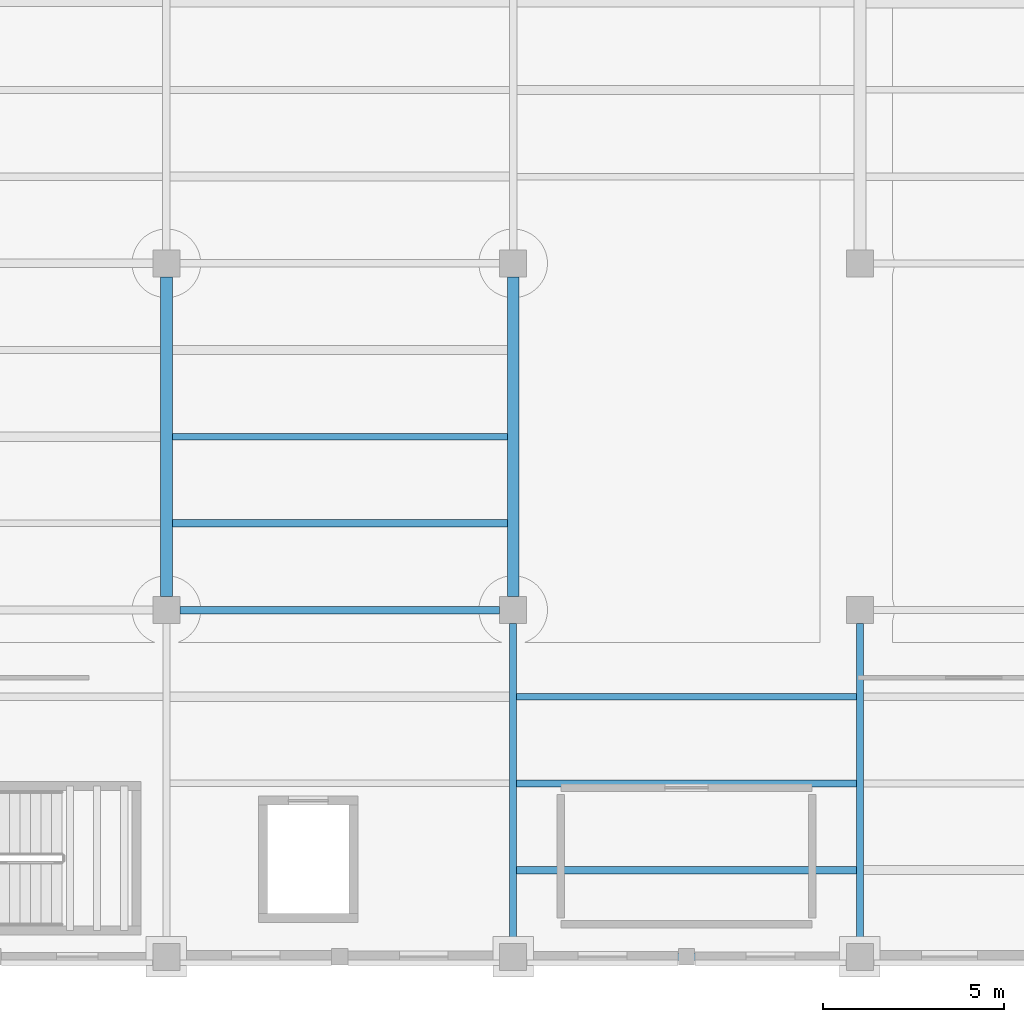
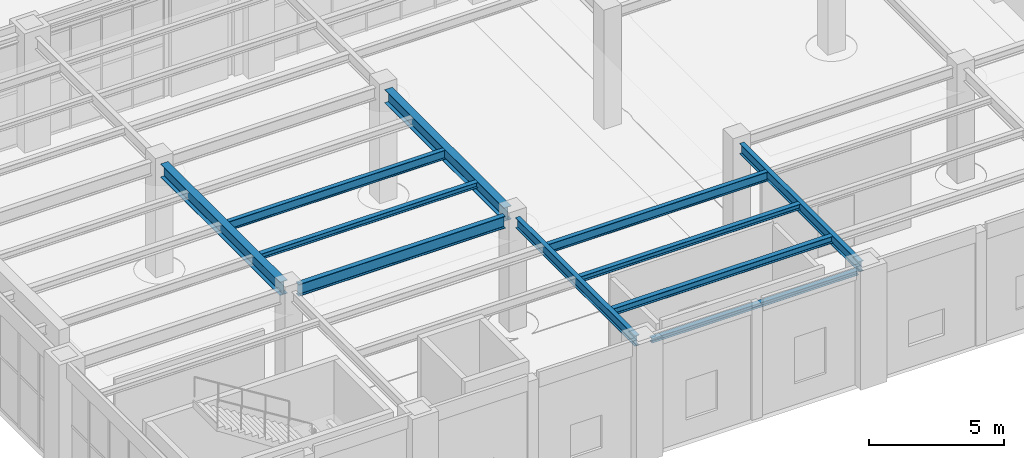
# One storey, part 28 of 164: 11 beams.
"""IFC4 building model written with IfcOpenShell, lengths in metres."""

from ifc_helpers import new_model, si_unit, direction, frame, origin, origin_2d, place, context, subcontext, project, spatial, i_section, extrude, material, material_profile, profile_set, type_object, element, save


model = new_model("IFC4")

# Units and contexts
model_context = context("Model", 3, precision=1e-05, world=origin(), true_north=direction((0.0, 1.0)))
body_context = subcontext(model_context, "Body", "Model", "MODEL_VIEW")
ifc_project = project(units=[si_unit("LENGTHUNIT", "METRE"), si_unit("AREAUNIT", "SQUARE_METRE"), si_unit("VOLUMEUNIT", "CUBIC_METRE"), si_unit("PLANEANGLEUNIT", "RADIAN"), si_unit("MASSUNIT", "GRAM", prefix="KILO")], contexts=[model_context])

# Site, building, storey
site_placement = place(None, origin())
site = spatial("IfcSite", under=ifc_project, at=site_placement, CompositionType="ELEMENT")
building_placement = place(site_placement, origin())
building = spatial("IfcBuilding", under=site, at=building_placement, Name="Mavantir Sound Aquarium", CompositionType="ELEMENT")
storey_placement = place(building_placement, origin())
storey = spatial("IfcBuildingStorey", under=building, at=storey_placement, Name="L00", CompositionType="ELEMENT", Elevation=0.0)

# Beams
ifc_material = material(Name="Structural Steel ASTM A992 Gr50", Category="steel")
ifc_material_profile_1 = material_profile(ifc_material, i_section(OverallWidth=0.202880859375, OverallDepth=0.202880859375, WebThickness=0.007080078125, FlangeThickness=0.010986328125, FilletRadius=0.010009765625, at=origin_2d()), Name="W200X46")
ifc_profile_set_1 = profile_set([ifc_material_profile_1], Name="Structural Steel ASTM A992 Gr50")
beam_type_1 = type_object("IfcBeamType", Name="BM-W200X46-E", PredefinedType="LINTEL", material=ifc_profile_set_1)
beam_1_placement = place(storey_placement, frame((19.574951171875, 0.0, 4.994384765625), z_axis=(1.0, 0.0, 0.0), x_axis=(0.0, 1.0, 0.0)))
element("IfcBeam", 1, at=beam_1_placement, inside=storey, type_object=beam_type_1, Name="L00 primary beam SL-20 890", PredefinedType="LINTEL", context=body_context, shape_type="SweptSolid", body=[
    extrude(i_section(OverallWidth=0.202880859375, OverallDepth=0.202880859375, WebThickness=0.007080078125, FlangeThickness=0.010986328125, FilletRadius=0.010009765625, at=origin_2d()), origin(), (0.0, 0.0, 1.0), 8.85009765625),
])
ifc_material_profile_2 = material_profile(ifc_material, i_section(OverallWidth=0.202880859375, OverallDepth=0.251953125, WebThickness=0.008056640625, FlangeThickness=0.013427734375, FilletRadius=0.011962890625, at=origin_2d()), Name="W250X58")
ifc_profile_set_2 = profile_set([ifc_material_profile_2], Name="Structural Steel ASTM A992 Gr50")
beam_type_2 = type_object("IfcBeamType", Name="BM-W250X58-I", PredefinedType="JOIST", material=ifc_profile_set_2)
beam_2_placement = place(storey_placement, frame((19.297119140625, 4.800048828125, 4.969970703125), z_axis=(1.0, 0.0, 0.0), x_axis=(0.0, 1.0, 0.0)))
element("IfcBeam", 2, at=beam_2_placement, inside=storey, type_object=beam_type_2, Name="L00 secondary floor joist SJ-25 484", PredefinedType="JOIST", context=body_context, shape_type="SweptSolid", body=[
    extrude(i_section(OverallWidth=0.202880859375, OverallDepth=0.251953125, WebThickness=0.008056640625, FlangeThickness=0.013427734375, FilletRadius=0.011962890625, at=origin_2d()), origin(), (0.0, 0.0, 1.0), 9.40576171875),
])
beam_3_placement = place(storey_placement, frame((9.761962890625, 12.0, 4.969970703125), z_axis=(1.0, 0.0, 0.0), x_axis=(0.0, 1.0, 0.0)))
element("IfcBeam", 3, at=beam_3_placement, inside=storey, type_object=beam_type_2, Name="L00 secondary floor joist SJ-25 492", PredefinedType="JOIST", context=body_context, shape_type="SweptSolid", body=[
    extrude(i_section(OverallWidth=0.202880859375, OverallDepth=0.251953125, WebThickness=0.008056640625, FlangeThickness=0.013427734375, FilletRadius=0.011962890625, at=origin_2d()), origin(), (0.0, 0.0, 1.0), 9.276123046875),
])
ifc_material_profile_3 = material_profile(ifc_material, i_section(OverallWidth=0.205078125, OverallDepth=0.31005859375, WebThickness=0.009521484375, FlangeThickness=0.016357421875, FilletRadius=0.012939453125, at=origin_2d()), Name="W310X74")
ifc_profile_set_3 = profile_set([ifc_material_profile_3], Name="Structural Steel ASTM A992 Gr50")
beam_type_3 = type_object("IfcBeamType", Name="BM-W310X74-I", PredefinedType="JOIST", material=ifc_profile_set_3)
beam_4_placement = place(storey_placement, frame((19.297119140625, 2.39990234375, 4.94091796875), z_axis=(1.0, 0.0, 0.0), x_axis=(0.0, 1.0, 0.0)))
element("IfcBeam", 4, at=beam_4_placement, inside=storey, type_object=beam_type_3, Name="L00 secondary floor joist SJ-31 483", PredefinedType="JOIST", context=body_context, shape_type="SweptSolid", body=[
    extrude(i_section(OverallWidth=0.205078125, OverallDepth=0.31005859375, WebThickness=0.009521484375, FlangeThickness=0.016357421875, FilletRadius=0.012939453125, at=origin_2d()), origin(), (0.0, 0.0, 1.0), 9.40576171875),
])
ifc_material_profile_4 = material_profile(ifc_material, i_section(OverallWidth=0.180908203125, OverallDepth=0.4169921875, WebThickness=0.010986328125, FlangeThickness=0.018310546875, FilletRadius=0.014892578125, at=origin_2d()), Name="W410X85")
ifc_profile_set_4 = profile_set([ifc_material_profile_4], Name="Structural Steel ASTM A992 Gr50")
beam_type_4 = type_object("IfcBeamType", Name="BM-W410X85-I", PredefinedType="JOIST", material=ifc_profile_set_4)
beam_5_placement = place(storey_placement, frame((19.297119140625, 7.199951171875, 4.887451171875), z_axis=(1.0, 0.0, 0.0), x_axis=(0.0, 1.0, 0.0)))
element("IfcBeam", 5, at=beam_5_placement, inside=storey, type_object=beam_type_4, Name="L00 secondary floor joist SJ-41 485", PredefinedType="JOIST", context=body_context, shape_type="SweptSolid", body=[
    extrude(i_section(OverallWidth=0.180908203125, OverallDepth=0.4169921875, WebThickness=0.010986328125, FlangeThickness=0.018310546875, FilletRadius=0.014892578125, at=origin_2d()), origin(), (0.0, 0.0, 1.0), 9.40576171875),
])
beam_6_placement = place(storey_placement, frame((9.761962890625, 14.39990234375, 4.887451171875), z_axis=(1.0, 0.0, 0.0), x_axis=(0.0, 1.0, 0.0)))
element("IfcBeam", 6, at=beam_6_placement, inside=storey, type_object=beam_type_4, Name="L00 secondary floor joist SJ-41 493", PredefinedType="JOIST", context=body_context, shape_type="SweptSolid", body=[
    extrude(i_section(OverallWidth=0.180908203125, OverallDepth=0.4169921875, WebThickness=0.010986328125, FlangeThickness=0.018310546875, FilletRadius=0.014892578125, at=origin_2d()), origin(), (0.0, 0.0, 1.0), 9.276123046875),
])
ifc_material_profile_5 = material_profile(ifc_material, i_section(OverallWidth=0.194091796875, OverallDepth=0.468994140625, WebThickness=0.0126953125, FlangeThickness=0.0205078125, FilletRadius=0.01611328125, at=origin_2d()), Name="W460X106")
ifc_profile_set_5 = profile_set([ifc_material_profile_5], Name="Structural Steel ASTM A992 Gr50")
beam_type_5 = type_object("IfcBeamType", Name="BM-W460X106-I", PredefinedType="BEAM", material=ifc_profile_set_5)
for number, where, z_axis, x_axis, name in (
    (7, (19.199951171875, 0.375, 4.861572265625), (0.0, 1.0, 0.0), (-1.0, 0.0, 0.0), "L00 primary girder SB-46 912"),
    (8, (28.800048828125, 0.375, 4.861572265625), (0.0, 1.0, 0.0), (-1.0, 0.0, 0.0), "L00 primary girder SB-46 915"),
):
    element("IfcBeam", number, at=place(storey_placement, frame(where, z_axis=z_axis, x_axis=x_axis)), inside=storey, type_object=beam_type_5, Name=name, PredefinedType="BEAM", context=body_context, shape_type="SweptSolid", body=[
        extrude(i_section(OverallWidth=0.194091796875, OverallDepth=0.468994140625, WebThickness=0.0126953125, FlangeThickness=0.0205078125, FilletRadius=0.01611328125, at=origin_2d()), origin(), (0.0, 0.0, 1.0), 8.85009765625),
    ])
ifc_material_profile_6 = material_profile(ifc_material, i_section(OverallWidth=0.2119140625, OverallDepth=0.5439453125, WebThickness=0.01318359375, FlangeThickness=0.021240234375, FilletRadius=0.01806640625, at=origin_2d()), Name="W530X123")
ifc_profile_set_6 = profile_set([ifc_material_profile_6], Name="Structural Steel ASTM A992 Gr50")
beam_type_6 = type_object("IfcBeamType", Name="BM-W530X123-I", PredefinedType="BEAM", material=ifc_profile_set_6)
beam_7_placement = place(storey_placement, frame((9.97509765625, 9.60009765625, 4.823974609375), z_axis=(1.0, 0.0, 0.0), x_axis=(0.0, 1.0, 0.0)))
element("IfcBeam", 9, at=beam_7_placement, inside=storey, type_object=beam_type_6, Name="L00 primary beam SB-53 894", PredefinedType="BEAM", context=body_context, shape_type="SweptSolid", body=[
    extrude(i_section(OverallWidth=0.2119140625, OverallDepth=0.5439453125, WebThickness=0.01318359375, FlangeThickness=0.021240234375, FilletRadius=0.01806640625, at=origin_2d()), origin(), (0.0, 0.0, 1.0), 8.849853515625),
])
ifc_material_profile_7 = material_profile(ifc_material, i_section(OverallWidth=0.323974609375, OverallDepth=0.611083984375, WebThickness=0.0126953125, FlangeThickness=0.01904296875, FilletRadius=0.01904296875, at=origin_2d()), Name="W610X155")
ifc_profile_set_7 = profile_set([ifc_material_profile_7], Name="Structural Steel ASTM A992 Gr50")
beam_type_7 = type_object("IfcBeamType", Name="BM-W610X155-I", PredefinedType="BEAM", material=ifc_profile_set_7)
for number, where, z_axis, x_axis, name in (
    (10, (9.60009765625, 9.97509765625, 4.79052734375), (0.0, 1.0, 0.0), (-1.0, 0.0, 0.0), "L00 primary girder SB-61A 910"),
    (11, (19.199951171875, 9.97509765625, 4.79052734375), (0.0, 1.0, 0.0), (-1.0, 0.0, 0.0), "L00 primary girder SB-61A 913"),
):
    element("IfcBeam", number, at=place(storey_placement, frame(where, z_axis=z_axis, x_axis=x_axis)), inside=storey, type_object=beam_type_7, Name=name, PredefinedType="BEAM", context=body_context, shape_type="SweptSolid", body=[
        extrude(i_section(OverallWidth=0.323974609375, OverallDepth=0.611083984375, WebThickness=0.0126953125, FlangeThickness=0.01904296875, FilletRadius=0.01904296875, at=origin_2d()), origin(), (0.0, 0.0, 1.0), 8.849853515625),
    ])

save(model, "model.ifc")
